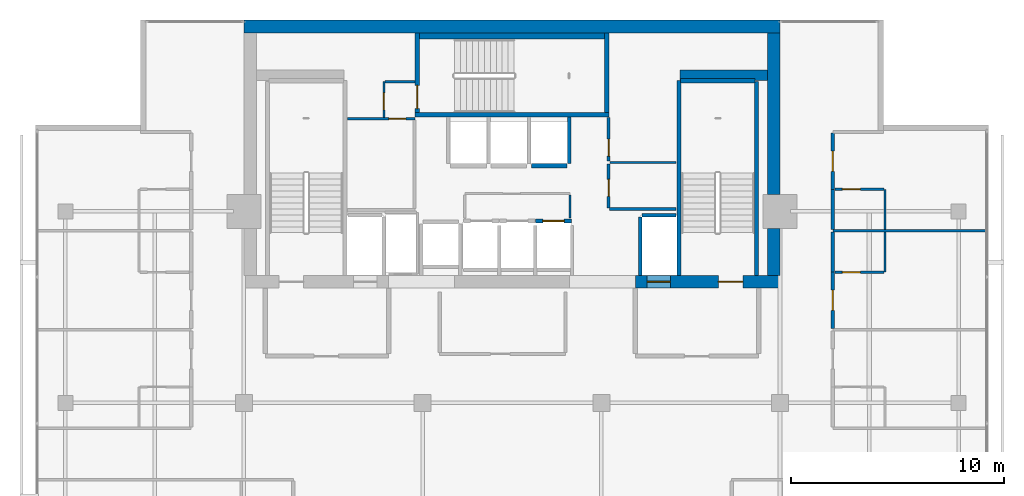
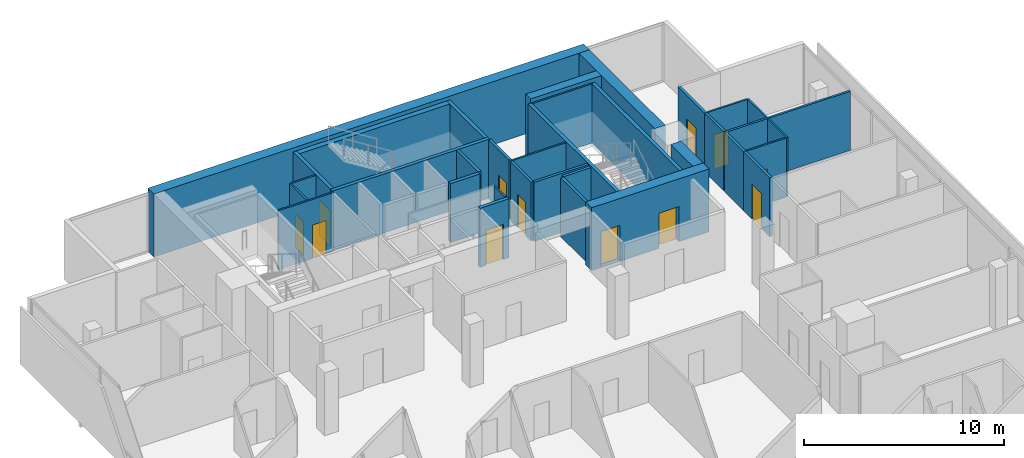
# One storey, part 23 of 26: 34 walls, 12 doors, 12 openings.
"""IFC4 building model written with IfcOpenShell, lengths in metres."""

from ifc_helpers import new_model, si_unit, direction, frame, frame_2d, origin, place, context, subcontext, project, spatial, rectangle, extrude, material, layer, layer_set, type_object, element, fill, save


model = new_model("IFC4")

# Units and contexts
model_context = context("Model", 3, precision=1e-05, world=origin(), true_north=direction((0.0, 1.0)))
body_context = subcontext(model_context, "Body", "Model", "MODEL_VIEW")
ifc_project = project(units=[si_unit("LENGTHUNIT", "METRE"), si_unit("AREAUNIT", "SQUARE_METRE"), si_unit("VOLUMEUNIT", "CUBIC_METRE"), si_unit("PLANEANGLEUNIT", "RADIAN"), si_unit("MASSUNIT", "GRAM", prefix="KILO")], contexts=[model_context])

# Site, building, storey
site_placement = place(None, origin())
site = spatial("IfcSite", under=ifc_project, at=site_placement, CompositionType="ELEMENT")
building_placement = place(site_placement, origin())
building = spatial("IfcBuilding", under=site, at=building_placement, Name="Maruvema Waterfront Hotel and Observation Tower", CompositionType="ELEMENT")
storey_placement = place(building_placement, frame((0.0, 0.0, 293.300048828125)))
storey = spatial("IfcBuildingStorey", under=building, at=storey_placement, Name="L72", CompositionType="ELEMENT", Elevation=293.300048828125)

# Wall, opening, door
ifc_material_1 = material(Name="Twin-stud acoustic gypsum drywall", Category="gypsum")
ifc_layer_1 = layer(ifc_material_1, 0.14990234375, Name="Acoustic Corridor and Suite Demising Wall 150 mm")
ifc_layer_set_1 = layer_set([ifc_layer_1], Name="Twin-stud acoustic gypsum drywall")
wall_type_1 = type_object("IfcWallType", Name="Acoustic Corridor and Suite Demising Wall 150 mm", PredefinedType="PARTITIONING", material=ifc_layer_set_1)
wall_1_placement = place(storey_placement, frame((42.340087890625, 45.159912109375, 0.0), z_axis=(0.0, 0.0, 1.0), x_axis=(0.0, 1.0, 0.0)))
wall_1 = element("IfcWall", 1, at=wall_1_placement, inside=storey, type_object=wall_type_1, Name="L72 Freed B2 West S 018", PredefinedType="PARTITIONING", context=body_context, shape_type="SweptSolid", body=[
    extrude(rectangle(XDim=2.080078125, YDim=0.14990234375, at=frame_2d((1.0400390625, 0.0))), origin(), (0.0, 0.0, 1.0), 3.60986328125),
])
opening_1_placement = place(wall_1_placement, frame((0.550048828125, 0.0, 0.0)))
opening_1 = element("IfcOpeningElement", 2, at=opening_1_placement, cuts=wall_1, Name="Opening DR-080", PredefinedType="OPENING", context=body_context, shape_type="SweptSolid", body=[
    extrude(rectangle(XDim=0.800048828125, YDim=2.050048828125, at=frame_2d((0.39990234375, 1.02490234375))), frame((0.0, 0.0849609375, 0.0), z_axis=(0.0, -1.0, 0.0), x_axis=(1.0, 0.0, 0.0)), (0.0, 0.0, 1.0), 0.169921875),
])
ifc_material_2 = material(Name="Powder-coated steel access leaf", Category="steel")
door_type_1 = type_object("IfcDoorType", Name="Riser and Service Cupboard Door 800x2050 mm", OperationType="NOTDEFINED", PredefinedType="DOOR", material=ifc_material_2)
door_1_placement = place(opening_1_placement, frame((0.800048828125, 0.0, 0.0), z_axis=(0.0, 0.0, 1.0), x_axis=(-1.0, 0.0, 0.0)))
door_1 = element("IfcDoor", 3, at=door_1_placement, inside=storey, type_object=door_type_1, Name="L72 Butler Service Pantry Door", OperationType="SINGLE_SWING_RIGHT", OverallHeight=2.050048828125, OverallWidth=0.800048828125, PredefinedType="DOOR", context=body_context, shape_type="SweptSolid", body=[
    extrude(rectangle(XDim=0.800048828125, YDim=2.050048828125, at=frame_2d((0.39990234375, 1.02490234375))), frame((0.0, 0.02490234375, 0.0), z_axis=(0.0, -1.0, 0.0), x_axis=(1.0, 0.0, 0.0)), (0.0, 0.0, 1.0), 0.050048828125),
])
fill(opening_1, door_1)

wall_2_placement = place(storey_placement, frame((42.340087890625, 47.360107421875, 0.0), z_axis=(0.0, 0.0, 1.0), x_axis=(0.0, 1.0, 0.0)))
wall_2 = element("IfcWall", 4, at=wall_2_placement, inside=storey, type_object=wall_type_1, Name="L72 Freed B2 West N 019", PredefinedType="PARTITIONING", context=body_context, shape_type="SweptSolid", body=[
    extrude(rectangle(XDim=2.059814453125, YDim=0.14990234375, at=frame_2d((1.02978515625, 0.0))), origin(), (0.0, 0.0, 1.0), 3.60986328125),
])
opening_2_placement = place(wall_2_placement, frame((0.239990234375, 0.0, 0.0)))
opening_2 = element("IfcOpeningElement", 5, at=opening_2_placement, cuts=wall_2, Name="Opening DR-080", PredefinedType="OPENING", context=body_context, shape_type="SweptSolid", body=[
    extrude(rectangle(XDim=0.800048828125, YDim=2.050048828125, at=frame_2d((0.39990234375, 1.02490234375))), frame((0.0, 0.0849609375, 0.0), z_axis=(0.0, -1.0, 0.0), x_axis=(1.0, 0.0, 0.0)), (0.0, 0.0, 1.0), 0.169921875),
])
door_2_placement = place(opening_2_placement, frame((0.800048828125, 0.0, 0.0), z_axis=(0.0, 0.0, 1.0), x_axis=(-1.0, 0.0, 0.0)))
door_2 = element("IfcDoor", 6, at=door_2_placement, inside=storey, type_object=door_type_1, Name="L72 Core IT and Linen Store Door", OperationType="SINGLE_SWING_LEFT", OverallHeight=2.050048828125, OverallWidth=0.800048828125, PredefinedType="DOOR", context=body_context, shape_type="SweptSolid", body=[
    extrude(rectangle(XDim=0.800048828125, YDim=2.050048828125, at=frame_2d((0.39990234375, 1.02490234375))), frame((0.0, 0.02490234375, 0.0), z_axis=(0.0, -1.0, 0.0), x_axis=(1.0, 0.0, 0.0)), (0.0, 0.0, 1.0), 0.050048828125),
])
fill(opening_2, door_2)

# Wall
wall_3_placement = place(storey_placement, frame((42.3798828125, 45.1201171875, 0.0), z_axis=(0.0, 0.0, 1.0), x_axis=(1.0, 0.0, 0.0)))
element("IfcWall", 7, at=wall_3_placement, inside=storey, type_object=wall_type_1, Name="L72 Freed B2 South Wall 021", PredefinedType="PARTITIONING", context=body_context, shape_type="SweptSolid", body=[
    extrude(rectangle(XDim=3.14013671875, YDim=0.14990234375, at=frame_2d((1.570068359375, 0.0))), origin(), (0.0, 0.0, 1.0), 3.60986328125),
])

# Wall, opening, door
wall_4_placement = place(storey_placement, frame((52.8798828125, 39.505859375, 0.0), z_axis=(0.0, 0.0, 1.0), x_axis=(0.0, 1.0, 0.0)))
wall_4 = element("IfcWall", 8, at=wall_4_placement, inside=storey, type_object=wall_type_1, Name="L72 Room L72-NE2 Corridor Wall 105", PredefinedType="PARTITIONING", context=body_context, shape_type="SweptSolid", body=[
    extrude(rectangle(XDim=2.6357421875, YDim=0.14990234375, at=frame_2d((1.31787109375, 0.0))), origin(), (0.0, 0.0, 1.0), 3.60986328125),
])
opening_3_placement = place(wall_4_placement, frame((0.843017578125, 0.0, 0.0)))
opening_3 = element("IfcOpeningElement", 9, at=opening_3_placement, cuts=wall_4, Name="Opening DR-095", PredefinedType="OPENING", context=body_context, shape_type="SweptSolid", body=[
    extrude(rectangle(XDim=0.949951171875, YDim=2.14990234375, at=frame_2d((0.47509765625, 1.074951171875))), frame((0.0, 0.0849609375, 0.0), z_axis=(0.0, -1.0, 0.0), x_axis=(1.0, 0.0, 0.0)), (0.0, 0.0, 1.0), 0.169921875),
])
ifc_material_3 = material(Name="Acoustic solid-core hardwood timber leaf", Category="wood")
door_type_2 = type_object("IfcDoorType", Name="Guestroom Entrance Fire Door 950x2150 mm", OperationType="NOTDEFINED", PredefinedType="DOOR", material=ifc_material_3)
door_3_placement = place(opening_3_placement, frame((0.949951171875, 0.0, 0.0), z_axis=(0.0, 0.0, 1.0), x_axis=(-1.0, 0.0, 0.0)))
door_3 = element("IfcDoor", 10, at=door_3_placement, inside=storey, type_object=door_type_2, Name="L72 Room L72-NE2 Entrance Door", OperationType="SINGLE_SWING_RIGHT", OverallHeight=2.14990234375, OverallWidth=0.949951171875, PredefinedType="DOOR", context=body_context, shape_type="SweptSolid", body=[
    extrude(rectangle(XDim=0.949951171875, YDim=2.14990234375, at=frame_2d((0.47509765625, 1.074951171875))), frame((0.0, 0.02490234375, 0.0), z_axis=(0.0, -1.0, 0.0), x_axis=(1.0, 0.0, 0.0)), (0.0, 0.0, 1.0), 0.050048828125),
])
fill(opening_3, door_3)

# Walls
for number, where, z_axis, x_axis, name in (
    (11, (52.8798828125, 42.1416015625, 0.0), (0.0, 0.0, 1.0), (0.0, 1.0, 0.0), "L72 Bath L72-NE2 Wall 106"),
    (12, (52.8798828125, 44.151611328125, 0.0), (0.0, 0.0, 1.0), (0.0, 1.0, 0.0), "L72 Bath L72-NE3 Wall 115"),
):
    element("IfcWall", number, at=place(storey_placement, frame(where, z_axis=z_axis, x_axis=x_axis)), inside=storey, type_object=wall_type_1, Name=name, PredefinedType="PARTITIONING", context=body_context, shape_type="SweptSolid", body=[
        extrude(rectangle(XDim=1.89013671875, YDim=0.14990234375, at=frame_2d((0.945068359375, 0.0))), origin(), (0.0, 0.0, 1.0), 3.60986328125),
    ])

# Wall, opening, door
wall_5_placement = place(storey_placement, frame((52.8798828125, 46.041748046875, 0.0), z_axis=(0.0, 0.0, 1.0), x_axis=(0.0, 1.0, 0.0)))
wall_5 = element("IfcWall", 13, at=wall_5_placement, inside=storey, type_object=wall_type_1, Name="L72 Room L72-NE3 Corridor Wall 116", PredefinedType="PARTITIONING", context=body_context, shape_type="SweptSolid", body=[
    extrude(rectangle(XDim=2.6357421875, YDim=0.14990234375, at=frame_2d((1.31787109375, 0.0))), origin(), (0.0, 0.0, 1.0), 3.60986328125),
])
opening_4_placement = place(wall_5_placement, frame((0.843017578125, 0.0, 0.0)))
opening_4 = element("IfcOpeningElement", 14, at=opening_4_placement, cuts=wall_5, Name="Opening DR-095", PredefinedType="OPENING", context=body_context, shape_type="SweptSolid", body=[
    extrude(rectangle(XDim=0.949951171875, YDim=2.14990234375, at=frame_2d((0.47509765625, 1.074951171875))), frame((0.0, 0.0849609375, 0.0), z_axis=(0.0, -1.0, 0.0), x_axis=(1.0, 0.0, 0.0)), (0.0, 0.0, 1.0), 0.169921875),
])
door_4_placement = place(opening_4_placement, frame((0.949951171875, 0.0, 0.0), z_axis=(0.0, 0.0, 1.0), x_axis=(-1.0, 0.0, 0.0)))
door_4 = element("IfcDoor", 15, at=door_4_placement, inside=storey, type_object=door_type_2, Name="L72 Room L72-NE3 Entrance Door", OperationType="SINGLE_SWING_RIGHT", OverallHeight=2.14990234375, OverallWidth=0.949951171875, PredefinedType="DOOR", context=body_context, shape_type="SweptSolid", body=[
    extrude(rectangle(XDim=0.949951171875, YDim=2.14990234375, at=frame_2d((0.47509765625, 1.074951171875))), frame((0.0, 0.02490234375, 0.0), z_axis=(0.0, -1.0, 0.0), x_axis=(1.0, 0.0, 0.0)), (0.0, 0.0, 1.0), 0.050048828125),
])
fill(opening_4, door_4)

# Walls
ifc_material_4 = material(Name="Precast concrete C45/55", Category="concrete")
ifc_layer_2 = layer(ifc_material_4, 0.300048828125, Name="Core Shaft Furring Wall 300 mm")
ifc_layer_set_2 = layer_set([ifc_layer_2], Name="Precast concrete C45/55")
wall_type_2 = type_object("IfcWallType", Name="Core Shaft Furring Wall 300 mm", PredefinedType="SOLIDWALL", material=ifc_layer_set_2)
wall_6_placement = place(storey_placement, frame((33.449951171875, 53.25, 0.0), z_axis=(0.0, 0.0, 1.0), x_axis=(1.0, 0.0, 0.0)))
element("IfcWall", 16, at=wall_6_placement, inside=storey, type_object=wall_type_2, Name="L72 Stairwell ST-02 North Furring Wall", PredefinedType="SOLIDWALL", context=body_context, shape_type="SweptSolid", body=[
    extrude(rectangle(XDim=8.699951171875, YDim=0.300048828125, at=frame_2d((4.35009765625, 0.0))), origin(), (0.0, 0.0, 1.0), 3.60986328125),
])
ifc_material_5 = material(Name="Precast concrete C45/55", Category="concrete")
ifc_layer_3 = layer(ifc_material_5, 0.199951171875, Name="Core Shaft and Stairwell Enclosure Wall 200 mm")
ifc_layer_set_3 = layer_set([ifc_layer_3], Name="Precast concrete C45/55")
wall_type_3 = type_object("IfcWallType", Name="Core Shaft and Stairwell Enclosure Wall 200 mm", PredefinedType="SOLIDWALL", material=ifc_layer_set_3)
wall_7_placement = place(storey_placement, frame((33.25, 49.550048828125, 0.0), z_axis=(0.0, 0.0, 1.0), x_axis=(1.0, 0.0, 0.0)))
element("IfcWall", 17, at=wall_7_placement, inside=storey, type_object=wall_type_3, Name="L72 Stairwell ST-02 Shaft Wall", PredefinedType="SOLIDWALL", context=body_context, shape_type="SweptSolid", body=[
    extrude(rectangle(XDim=9.10009765625, YDim=0.199951171875, at=frame_2d((4.550048828125, 0.0))), origin(), (0.0, 0.0, 1.0), 3.60986328125),
])
wall_8_placement = place(storey_placement, frame((42.25, 49.64990234375, 0.0), z_axis=(0.0, 0.0, 1.0), x_axis=(0.0, 1.0, 0.0)))
element("IfcWall", 18, at=wall_8_placement, inside=storey, type_object=wall_type_3, Name="L72 Stairwell ST-02 Shaft Wall", PredefinedType="SOLIDWALL", context=body_context, shape_type="SweptSolid", body=[
    extrude(rectangle(XDim=3.75, YDim=0.199951171875, at=frame_2d((1.875, 0.0))), origin(), (0.0, 0.0, 1.0), 3.60986328125),
])

# Wall, opening, door
wall_9_placement = place(storey_placement, frame((33.35009765625, 49.64990234375, 0.0), z_axis=(0.0, 0.0, 1.0), x_axis=(0.0, 1.0, 0.0)))
wall_9 = element("IfcWall", 19, at=wall_9_placement, inside=storey, type_object=wall_type_3, Name="L72 Stairwell ST-02 Shaft Wall", PredefinedType="SOLIDWALL", context=body_context, shape_type="SweptSolid", body=[
    extrude(rectangle(XDim=3.75, YDim=0.199951171875, at=frame_2d((1.875, 0.0))), origin(), (0.0, 0.0, 1.0), 3.60986328125),
])
opening_5_placement = place(wall_9_placement, frame((0.179931640625, 0.0, 0.0)))
opening_5 = element("IfcOpeningElement", 20, at=opening_5_placement, cuts=wall_9, Name="Opening SD-02", PredefinedType="OPENING", context=body_context, shape_type="SweptSolid", body=[
    extrude(rectangle(XDim=1.10009765625, YDim=2.14990234375, at=frame_2d((0.550048828125, 1.074951171875))), frame((0.0, 0.10986328125, 0.0), z_axis=(0.0, -1.0, 0.0), x_axis=(1.0, 0.0, 0.0)), (0.0, 0.0, 1.0), 0.219970703125),
])
ifc_material_6 = material(Name="Fire-rated galvanised steel leaf", Category="steel")
door_type_3 = type_object("IfcDoorType", Name="Central Exit Stair Fire Door 1100x2150 mm", OperationType="NOTDEFINED", PredefinedType="DOOR", material=ifc_material_6)
door_5_placement = place(opening_5_placement, frame((1.10009765625, 0.0, 0.0), z_axis=(0.0, 0.0, 1.0), x_axis=(-1.0, 0.0, 0.0)))
door_5 = element("IfcDoor", 21, at=door_5_placement, inside=storey, type_object=door_type_3, Name="L72 Exit Stair ST-02 Fire Door", OperationType="SINGLE_SWING_LEFT", OverallHeight=2.14990234375, OverallWidth=1.10009765625, PredefinedType="DOOR", context=body_context, shape_type="SweptSolid", body=[
    extrude(rectangle(XDim=1.10009765625, YDim=2.14990234375, at=frame_2d((0.550048828125, 1.074951171875))), frame((0.0, 0.02490234375, 0.0), z_axis=(0.0, -1.0, 0.0), x_axis=(1.0, 0.0, 0.0)), (0.0, 0.0, 1.0), 0.050048828125),
])
fill(opening_5, door_5)

# Walls
wall_10_placement = place(storey_placement, frame((45.64990234375, 42.0, 0.0), z_axis=(0.0, 0.0, 1.0), x_axis=(0.0, 1.0, 0.0)))
element("IfcWall", 22, at=wall_10_placement, inside=storey, type_object=wall_type_3, Name="L72 Stairwell ST-03 West Shaft Wall", PredefinedType="SOLIDWALL", context=body_context, shape_type="SweptSolid", body=[
    extrude(rectangle(XDim=9.14990234375, YDim=0.199951171875, at=frame_2d((4.574951171875, 0.0))), origin(), (0.0, 0.0, 1.0), 3.60986328125),
])
wall_11_placement = place(storey_placement, frame((49.300048828125, 42.0, 0.0), z_axis=(0.0, 0.0, 1.0), x_axis=(0.0, 1.0, 0.0)))
element("IfcWall", 23, at=wall_11_placement, inside=storey, type_object=wall_type_3, Name="L72 Stairwell ST-03 Shaft Lining Wall", PredefinedType="SOLIDWALL", context=body_context, shape_type="SweptSolid", body=[
    extrude(rectangle(XDim=9.1201171875, YDim=0.199951171875, at=frame_2d((4.56005859375, 0.0))), origin(), (0.0, 0.0, 1.0), 3.60986328125),
])
wall_12_placement = place(storey_placement, frame((45.719970703125, 51.14990234375, 0.0), z_axis=(0.0, 0.0, 1.0), x_axis=(1.0, 0.0, 0.0)))
element("IfcWall", 24, at=wall_12_placement, inside=storey, type_object=wall_type_3, Name="L72 Stairwell ST-03 Shaft Lining Wall", PredefinedType="SOLIDWALL", context=body_context, shape_type="SweptSolid", body=[
    extrude(rectangle(XDim=3.5, YDim=0.199951171875, at=frame_2d((1.75, 0.0))), origin(), (0.0, 0.0, 1.0), 3.60986328125),
])

# Wall, opening, door
wall_13_placement = place(storey_placement, frame((38.909912109375, 44.550048828125, 0.0), z_axis=(0.0, 0.0, 1.0), x_axis=(1.0, 0.0, 0.0)))
wall_13 = element("IfcWall", 25, at=wall_13_placement, inside=storey, type_object=wall_type_3, Name="L72 Lift LF-11 Hoistway Front Wall", PredefinedType="SOLIDWALL", context=body_context, shape_type="SweptSolid", body=[
    extrude(rectangle(XDim=1.68017578125, YDim=0.199951171875, at=frame_2d((0.840087890625, 0.0))), origin(), (0.0, 0.0, 1.0), 3.60986328125),
])
opening_6_placement = place(wall_13_placement, frame((0.340087890625, 0.0, 0.0)))
opening_6 = element("IfcOpeningElement", 26, at=opening_6_placement, cuts=wall_13, Name="Opening LD-01", PredefinedType="OPENING", context=body_context, shape_type="SweptSolid", body=[
    extrude(rectangle(XDim=1.0, YDim=2.14990234375, at=frame_2d((0.5, 1.074951171875))), frame((0.0, 0.10986328125, 0.0), z_axis=(0.0, -1.0, 0.0), x_axis=(1.0, 0.0, 0.0)), (0.0, 0.0, 1.0), 0.219970703125),
])
ifc_material_7 = material(Name="Brushed stainless steel Grade 316", Category="steel")
door_type_4 = type_object("IfcDoorType", Name="Passenger Lift Sliding Landing Door 1000x2150 mm", OperationType="SLIDING_TO_LEFT", PredefinedType="DOOR", material=ifc_material_7)
door_6_placement = place(opening_6_placement, origin())
door_6 = element("IfcDoor", 27, at=door_6_placement, inside=storey, type_object=door_type_4, Name="L72 Lift LF-11 Sliding Landing Door", OperationType="SLIDING_TO_LEFT", OverallHeight=2.14990234375, OverallWidth=1.0, PredefinedType="DOOR", context=body_context, shape_type="SweptSolid", body=[
    extrude(rectangle(XDim=1.0, YDim=2.14990234375, at=frame_2d((0.5, 1.074951171875))), frame((0.0, 0.02490234375, 0.0), z_axis=(0.0, -1.0, 0.0), x_axis=(1.0, 0.0, 0.0)), (0.0, 0.0, 1.0), 0.050048828125),
])
fill(opening_6, door_6)

# Walls
wall_14_placement = place(storey_placement, frame((38.7099609375, 47.14990234375, 0.0), z_axis=(0.0, 0.0, 1.0), x_axis=(1.0, 0.0, 0.0)))
element("IfcWall", 28, at=wall_14_placement, inside=storey, type_object=wall_type_3, Name="L72 Lift LF-14 Hoistway Front Wall", PredefinedType="SOLIDWALL", context=body_context, shape_type="SweptSolid", body=[
    extrude(rectangle(XDim=1.679931640625, YDim=0.199951171875, at=frame_2d((0.83984375, 0.0))), origin(), (0.0, 0.0, 1.0), 3.60986328125),
])
ifc_material_8 = material(Name="Concrete C70/85", Category="concrete")
ifc_layer_4 = layer(ifc_material_8, 0.5, Name="Core Shear Wall 500 mm")
ifc_layer_set_4 = layer_set([ifc_layer_4], Name="Concrete C70/85")
wall_type_4 = type_object("IfcWallType", Name="Core Shear Wall 500 mm", PredefinedType="SHEAR", material=ifc_layer_set_4)
wall_15_placement = place(storey_placement, frame((45.699951171875, 51.39990234375, 0.0), z_axis=(0.0, 0.0, 1.0), x_axis=(1.0, 0.0, 0.0)))
element("IfcWall", 29, at=wall_15_placement, inside=storey, type_object=wall_type_4, Name="L72 Internal Core Shear Wall NE 500 mm", PredefinedType="SHEAR", context=body_context, shape_type="SweptSolid", body=[
    extrude(rectangle(XDim=4.10009765625, YDim=0.5, at=frame_2d((2.050048828125, 0.0))), origin(), (0.0, 0.0, 1.0), 3.849853515625),
])
ifc_material_9 = material(Name="Concrete C60/75", Category="concrete")
ifc_layer_5 = layer(ifc_material_9, 0.60009765625, Name="Core Shear Wall 600 mm")
ifc_layer_set_5 = layer_set([ifc_layer_5], Name="Concrete C60/75")
wall_type_5 = type_object("IfcWallType", Name="Core Shear Wall 600 mm", PredefinedType="SHEAR", material=ifc_layer_set_5)
wall_16_placement = place(storey_placement, frame((25.199951171875, 53.699951171875, 0.0), z_axis=(0.0, 0.0, 1.0), x_axis=(1.0, 0.0, 0.0)))
element("IfcWall", 30, at=wall_16_placement, inside=storey, type_object=wall_type_5, Name="L72 North Core Shear Wall", PredefinedType="SHEAR", context=body_context, shape_type="SweptSolid", body=[
    extrude(rectangle(XDim=25.199951171875, YDim=0.60009765625, at=frame_2d((12.60009765625, 0.0))), origin(), (0.0, 0.0, 1.0), 3.849853515625),
])

# Wall, openings, doors
wall_17_placement = place(storey_placement, frame((43.60009765625, 41.699951171875, 0.0), z_axis=(0.0, 0.0, 1.0), x_axis=(1.0, 0.0, 0.0)))
wall_17 = element("IfcWall", 31, at=wall_17_placement, inside=storey, type_object=wall_type_5, Name="L72 South-East Core Shear Wall", PredefinedType="SHEAR", context=body_context, shape_type="SweptSolid", body=[
    extrude(rectangle(XDim=6.7998046875, YDim=0.60009765625, at=frame_2d((3.39990234375, 0.0))), origin(), (0.0, 0.0, 1.0), 3.849853515625),
])
opening_7_placement = place(wall_17_placement, frame((3.89990234375, 0.0, 0.0)))
opening_7 = element("IfcOpeningElement", 32, at=opening_7_placement, cuts=wall_17, Name="Opening SD-01", PredefinedType="OPENING", context=body_context, shape_type="SweptSolid", body=[
    extrude(rectangle(XDim=1.14990234375, YDim=2.14990234375, at=frame_2d((0.574951171875, 1.074951171875))), frame((0.0, 0.31005859375, 0.0), z_axis=(0.0, -1.0, 0.0), x_axis=(1.0, 0.0, 0.0)), (0.0, 0.0, 1.0), 0.6201171875),
])
opening_8_placement = place(wall_17_placement, frame((0.550048828125, 0.0, 0.0)))
opening_8 = element("IfcOpeningElement", 33, at=opening_8_placement, cuts=wall_17, Name="Opening LD-03", PredefinedType="OPENING", context=body_context, shape_type="SweptSolid", body=[
    extrude(rectangle(XDim=1.10009765625, YDim=2.199951171875, at=frame_2d((0.550048828125, 1.10009765625))), frame((0.0, 0.31005859375, 0.0), z_axis=(0.0, -1.0, 0.0), x_axis=(1.0, 0.0, 0.0)), (0.0, 0.0, 1.0), 0.6201171875),
])
ifc_material_10 = material(Name="Fire-rated galvanised steel leaf", Category="steel")
door_type_5 = type_object("IfcDoorType", Name="Exit Stair Fire Door 1150x2150 mm", OperationType="NOTDEFINED", PredefinedType="DOOR", material=ifc_material_10)
door_7_placement = place(opening_7_placement, origin())
door_7 = element("IfcDoor", 34, at=door_7_placement, inside=storey, type_object=door_type_5, Name="L72 Exit Stair ST-03 Fire Door", OperationType="SINGLE_SWING_RIGHT", OverallHeight=2.14990234375, OverallWidth=1.14990234375, PredefinedType="DOOR", context=body_context, shape_type="SweptSolid", body=[
    extrude(rectangle(XDim=1.14990234375, YDim=2.14990234375, at=frame_2d((0.574951171875, 1.074951171875))), frame((0.0, 0.02490234375, 0.0), z_axis=(0.0, -1.0, 0.0), x_axis=(1.0, 0.0, 0.0)), (0.0, 0.0, 1.0), 0.050048828125),
])
fill(opening_7, door_7)
ifc_material_11 = material(Name="Brushed stainless steel Grade 316", Category="steel")
door_type_6 = type_object("IfcDoorType", Name="Firefighting Lift Sliding Landing Door 1100x2200 mm", OperationType="SLIDING_TO_LEFT", PredefinedType="DOOR", material=ifc_material_11)
door_8_placement = place(opening_8_placement, frame((1.10009765625, 0.0, 0.0), z_axis=(0.0, 0.0, 1.0), x_axis=(-1.0, 0.0, 0.0)))
door_8 = element("IfcDoor", 35, at=door_8_placement, inside=storey, type_object=door_type_6, Name="L72 Firefighting Lift FL-02 Landing Door", OperationType="SLIDING_TO_LEFT", OverallHeight=2.199951171875, OverallWidth=1.10009765625, PredefinedType="DOOR", context=body_context, shape_type="SweptSolid", body=[
    extrude(rectangle(XDim=1.10009765625, YDim=2.199951171875, at=frame_2d((0.550048828125, 1.10009765625))), frame((0.0, 0.02490234375, 0.0), z_axis=(0.0, -1.0, 0.0), x_axis=(1.0, 0.0, 0.0)), (0.0, 0.0, 1.0), 0.050048828125),
])
fill(opening_8, door_8)

# Walls
wall_18_placement = place(storey_placement, frame((50.10009765625, 42.0, 0.0), z_axis=(0.0, 0.0, 1.0), x_axis=(0.0, 1.0, 0.0)))
element("IfcWall", 36, at=wall_18_placement, inside=storey, type_object=wall_type_5, Name="L72 East-South Core Shear Wall", PredefinedType="SHEAR", context=body_context, shape_type="SweptSolid", body=[
    extrude(rectangle(XDim=2.199951171875, YDim=0.60009765625, at=frame_2d((1.10009765625, 0.0))), origin(), (0.0, 0.0, 1.0), 3.849853515625),
])
wall_19_placement = place(storey_placement, frame((50.10009765625, 45.800048828125, 0.0), z_axis=(0.0, 0.0, 1.0), x_axis=(0.0, 1.0, 0.0)))
element("IfcWall", 37, at=wall_19_placement, inside=storey, type_object=wall_type_5, Name="L72 East-North Core Shear Wall", PredefinedType="SHEAR", context=body_context, shape_type="SweptSolid", body=[
    extrude(rectangle(XDim=7.599853515625, YDim=0.60009765625, at=frame_2d((3.7998046875, 0.0))), origin(), (0.0, 0.0, 1.0), 3.849853515625),
])
ifc_material_12 = material(Name="Moisture-resistant cement-board drywall", Category="gypsum")
ifc_layer_6 = layer(ifc_material_12, 0.10009765625, Name="En-Suite Moisture-Resistant Partition 100 mm")
ifc_layer_set_6 = layer_set([ifc_layer_6], Name="Moisture-resistant cement-board drywall")
wall_type_6 = type_object("IfcWallType", Name="En-Suite Moisture-Resistant Partition 100 mm", PredefinedType="PARTITIONING", material=ifc_layer_set_6)
wall_20_placement = place(storey_placement, frame((40.52001953125, 44.699951171875, 0.0), z_axis=(0.0, 0.0, 1.0), x_axis=(0.0, 1.0, 0.0)))
element("IfcWall", 38, at=wall_20_placement, inside=storey, type_object=wall_type_6, Name="L72 Core Closet K0 East 012", PredefinedType="PARTITIONING", context=body_context, shape_type="SweptSolid", body=[
    extrude(rectangle(XDim=1.080078125, YDim=0.10009765625, at=frame_2d((0.5400390625, 0.0))), origin(), (0.0, 0.0, 1.0), 3.60986328125),
])

# Wall, opening, door
wall_21_placement = place(storey_placement, frame((30.06005859375, 49.360107421875, 0.0), z_axis=(0.0, 0.0, 1.0), x_axis=(1.0, 0.0, 0.0)))
wall_21 = element("IfcWall", 39, at=wall_21_placement, inside=storey, type_object=wall_type_6, Name="L72 Freed B1 Mid Wall 015", PredefinedType="PARTITIONING", context=body_context, shape_type="SweptSolid", body=[
    extrude(rectangle(XDim=3.179931640625, YDim=0.10009765625, at=frame_2d((1.58984375, 0.0))), origin(), (0.0, 0.0, 1.0), 3.60986328125),
])
opening_9_placement = place(wall_21_placement, frame((1.949951171875, 0.0, 0.0)))
opening_9 = element("IfcOpeningElement", 40, at=opening_9_placement, cuts=wall_21, Name="Opening DR-080", PredefinedType="OPENING", context=body_context, shape_type="SweptSolid", body=[
    extrude(rectangle(XDim=0.800048828125, YDim=2.050048828125, at=frame_2d((0.39990234375, 1.02490234375))), frame((0.0, 0.06005859375, 0.0), z_axis=(0.0, -1.0, 0.0), x_axis=(1.0, 0.0, 0.0)), (0.0, 0.0, 1.0), 0.1201171875),
])
door_9_placement = place(opening_9_placement, origin())
door_9 = element("IfcDoor", 41, at=door_9_placement, inside=storey, type_object=door_type_1, Name="L72 Housekeeping and Linen Room Door", OperationType="SINGLE_SWING_RIGHT", OverallHeight=2.050048828125, OverallWidth=0.800048828125, PredefinedType="DOOR", context=body_context, shape_type="SweptSolid", body=[
    extrude(rectangle(XDim=0.800048828125, YDim=2.050048828125, at=frame_2d((0.39990234375, 1.02490234375))), frame((0.0, 0.02490234375, 0.0), z_axis=(0.0, -1.0, 0.0), x_axis=(1.0, 0.0, 0.0)), (0.0, 0.0, 1.0), 0.050048828125),
])
fill(opening_9, door_9)

wall_22_placement = place(storey_placement, frame((31.780029296875, 49.419921875, 0.0), z_axis=(0.0, 0.0, 1.0), x_axis=(0.0, 1.0, 0.0)))
wall_22 = element("IfcWall", 42, at=wall_22_placement, inside=storey, type_object=wall_type_6, Name="L72 Freed B1 NW East Wall 016", PredefinedType="PARTITIONING", context=body_context, shape_type="SweptSolid", body=[
    extrude(rectangle(XDim=1.68017578125, YDim=0.10009765625, at=frame_2d((0.840087890625, 0.0))), origin(), (0.0, 0.0, 1.0), 3.60986328125),
])
opening_10_placement = place(wall_22_placement, frame((0.35009765625, 0.0, 0.0)))
opening_10 = element("IfcOpeningElement", 43, at=opening_10_placement, cuts=wall_22, Name="Opening DR-080", PredefinedType="OPENING", context=body_context, shape_type="SweptSolid", body=[
    extrude(rectangle(XDim=0.800048828125, YDim=2.050048828125, at=frame_2d((0.39990234375, 1.02490234375))), frame((0.0, 0.06005859375, 0.0), z_axis=(0.0, -1.0, 0.0), x_axis=(1.0, 0.0, 0.0)), (0.0, 0.0, 1.0), 0.1201171875),
])
door_10_placement = place(opening_10_placement, origin())
door_10 = element("IfcDoor", 44, at=door_10_placement, inside=storey, type_object=door_type_1, Name="L72 Guest Floor Pantry Door", OperationType="SINGLE_SWING_LEFT", OverallHeight=2.050048828125, OverallWidth=0.800048828125, PredefinedType="DOOR", context=body_context, shape_type="SweptSolid", body=[
    extrude(rectangle(XDim=0.800048828125, YDim=2.050048828125, at=frame_2d((0.39990234375, 1.02490234375))), frame((0.0, 0.02490234375, 0.0), z_axis=(0.0, -1.0, 0.0), x_axis=(1.0, 0.0, 0.0)), (0.0, 0.0, 1.0), 0.050048828125),
])
fill(opening_10, door_10)

# Walls
wall_23_placement = place(storey_placement, frame((31.820068359375, 51.10009765625, 0.0), z_axis=(0.0, 0.0, 1.0), x_axis=(1.0, 0.0, 0.0)))
element("IfcWall", 45, at=wall_23_placement, inside=storey, type_object=wall_type_6, Name="L72 Freed B1 Vestibule North Wall 017", PredefinedType="PARTITIONING", context=body_context, shape_type="SweptSolid", body=[
    extrude(rectangle(XDim=1.419921875, YDim=0.10009765625, at=frame_2d((0.7099609375, 0.0))), origin(), (0.0, 0.0, 1.0), 3.60986328125),
])
wall_24_placement = place(storey_placement, frame((42.39990234375, 47.300048828125, 0.0), z_axis=(0.0, 0.0, 1.0), x_axis=(1.0, 0.0, 0.0)))
element("IfcWall", 46, at=wall_24_placement, inside=storey, type_object=wall_type_6, Name="L72 Freed B2 Split 020", PredefinedType="PARTITIONING", context=body_context, shape_type="SweptSolid", body=[
    extrude(rectangle(XDim=3.10009765625, YDim=0.10009765625, at=frame_2d((1.550048828125, 0.0))), origin(), (0.0, 0.0, 1.0), 3.60986328125),
])
wall_25_placement = place(storey_placement, frame((55.330078125, 42.1416015625, 0.0), z_axis=(0.0, 0.0, 1.0), x_axis=(0.0, 1.0, 0.0)))
element("IfcWall", 47, at=wall_25_placement, inside=storey, type_object=wall_type_6, Name="L72 En-Suite L72-NE2 E 107", PredefinedType="PARTITIONING", context=body_context, shape_type="SweptSolid", body=[
    extrude(rectangle(XDim=1.89013671875, YDim=0.10009765625, at=frame_2d((0.945068359375, 0.0))), origin(), (0.0, 0.0, 1.0), 3.60986328125),
])

# Wall, opening, door
wall_26_placement = place(storey_placement, frame((52.97998046875, 42.1416015625, 0.0), z_axis=(0.0, 0.0, 1.0), x_axis=(1.0, 0.0, 0.0)))
wall_26 = element("IfcWall", 48, at=wall_26_placement, inside=storey, type_object=wall_type_6, Name="L72 En-Suite L72-NE2 S 108", PredefinedType="PARTITIONING", context=body_context, shape_type="SweptSolid", body=[
    extrude(rectangle(XDim=2.300048828125, YDim=0.10009765625, at=frame_2d((1.14990234375, 0.0))), origin(), (0.0, 0.0, 1.0), 3.60986328125),
])
opening_11_placement = place(wall_26_placement, frame((0.35009765625, 0.0, 0.0)))
opening_11 = element("IfcOpeningElement", 49, at=opening_11_placement, cuts=wall_26, Name="Opening DR-085", PredefinedType="OPENING", context=body_context, shape_type="SweptSolid", body=[
    extrude(rectangle(XDim=0.85009765625, YDim=2.10009765625, at=frame_2d((0.425048828125, 1.050048828125))), frame((0.0, 0.06005859375, 0.0), z_axis=(0.0, -1.0, 0.0), x_axis=(1.0, 0.0, 0.0)), (0.0, 0.0, 1.0), 0.1201171875),
])
ifc_material_13 = material(Name="Moisture-resistant solid timber leaf", Category="wood")
door_type_7 = type_object("IfcDoorType", Name="En-Suite Bathroom Door 850x2100 mm", OperationType="NOTDEFINED", PredefinedType="DOOR", material=ifc_material_13)
door_11_placement = place(opening_11_placement, frame((0.85009765625, 0.0, 0.0), z_axis=(0.0, 0.0, 1.0), x_axis=(-1.0, 0.0, 0.0)))
door_11 = element("IfcDoor", 50, at=door_11_placement, inside=storey, type_object=door_type_7, Name="L72 En-Suite L72-NE2 Door", OperationType="SINGLE_SWING_LEFT", OverallHeight=2.10009765625, OverallWidth=0.85009765625, PredefinedType="DOOR", context=body_context, shape_type="SweptSolid", body=[
    extrude(rectangle(XDim=0.85009765625, YDim=2.10009765625, at=frame_2d((0.425048828125, 1.050048828125))), frame((0.0, 0.02490234375, 0.0), z_axis=(0.0, -1.0, 0.0), x_axis=(1.0, 0.0, 0.0)), (0.0, 0.0, 1.0), 0.050048828125),
])
fill(opening_11, door_11)

# Wall
wall_27_placement = place(storey_placement, frame((55.330078125, 44.151611328125, 0.0), z_axis=(0.0, 0.0, 1.0), x_axis=(0.0, 1.0, 0.0)))
element("IfcWall", 51, at=wall_27_placement, inside=storey, type_object=wall_type_6, Name="L72 En-Suite L72-NE3 E 117", PredefinedType="PARTITIONING", context=body_context, shape_type="SweptSolid", body=[
    extrude(rectangle(XDim=1.89013671875, YDim=0.10009765625, at=frame_2d((0.945068359375, 0.0))), origin(), (0.0, 0.0, 1.0), 3.60986328125),
])

# Wall, opening, door
wall_28_placement = place(storey_placement, frame((52.97998046875, 46.041748046875, 0.0), z_axis=(0.0, 0.0, 1.0), x_axis=(1.0, 0.0, 0.0)))
wall_28 = element("IfcWall", 52, at=wall_28_placement, inside=storey, type_object=wall_type_6, Name="L72 En-Suite L72-NE3 N 118", PredefinedType="PARTITIONING", context=body_context, shape_type="SweptSolid", body=[
    extrude(rectangle(XDim=2.300048828125, YDim=0.10009765625, at=frame_2d((1.14990234375, 0.0))), origin(), (0.0, 0.0, 1.0), 3.60986328125),
])
opening_12_placement = place(wall_28_placement, frame((0.35009765625, 0.0, 0.0)))
opening_12 = element("IfcOpeningElement", 53, at=opening_12_placement, cuts=wall_28, Name="Opening DR-085", PredefinedType="OPENING", context=body_context, shape_type="SweptSolid", body=[
    extrude(rectangle(XDim=0.85009765625, YDim=2.10009765625, at=frame_2d((0.425048828125, 1.050048828125))), frame((0.0, 0.06005859375, 0.0), z_axis=(0.0, -1.0, 0.0), x_axis=(1.0, 0.0, 0.0)), (0.0, 0.0, 1.0), 0.1201171875),
])
door_12_placement = place(opening_12_placement, origin())
door_12 = element("IfcDoor", 54, at=door_12_placement, inside=storey, type_object=door_type_7, Name="L72 En-Suite L72-NE3 Door", OperationType="SINGLE_SWING_LEFT", OverallHeight=2.10009765625, OverallWidth=0.85009765625, PredefinedType="DOOR", context=body_context, shape_type="SweptSolid", body=[
    extrude(rectangle(XDim=0.85009765625, YDim=2.10009765625, at=frame_2d((0.425048828125, 1.050048828125))), frame((0.0, 0.02490234375, 0.0), z_axis=(0.0, -1.0, 0.0), x_axis=(1.0, 0.0, 0.0)), (0.0, 0.0, 1.0), 0.050048828125),
])
fill(opening_12, door_12)

# Walls
ifc_material_14 = material(Name="Acoustic gypsum plasterboard drywall", Category="gypsum")
ifc_layer_7 = layer(ifc_material_14, 0.125, Name="Guestroom Acoustic Demising Wall 125 mm")
ifc_layer_set_7 = layer_set([ifc_layer_7], Name="Acoustic gypsum plasterboard drywall")
wall_type_7 = type_object("IfcWallType", Name="Guestroom Acoustic Demising Wall 125 mm", PredefinedType="PARTITIONING", material=ifc_layer_set_7)
wall_29_placement = place(storey_placement, frame((52.8798828125, 44.091796875, 0.0), z_axis=(0.0, 0.0, 1.0), x_axis=(1.0, 0.0, 0.0)))
element("IfcWall", 55, at=wall_29_placement, inside=storey, type_object=wall_type_7, Name="L72 Z3 NE Demising 3 110", PredefinedType="PARTITIONING", context=body_context, shape_type="SweptSolid", body=[
    extrude(rectangle(XDim=7.22021484375, YDim=0.125, at=frame_2d((3.610107421875, 0.0))), origin(), (0.0, 0.0, 1.0), 3.60986328125),
])
ifc_material_15 = material(Name="Precast concrete C45/55", Category="concrete")
ifc_layer_8 = layer(ifc_material_15, 0.159912109375, Name="Lift Hoistway Divider Wall 160 mm")
ifc_layer_set_8 = layer_set([ifc_layer_8], Name="Precast concrete C45/55")
wall_type_8 = type_object("IfcWallType", Name="Lift Hoistway Divider Wall 160 mm", PredefinedType="SOLIDWALL", material=ifc_layer_set_8)
wall_30_placement = place(storey_placement, frame((43.89990234375, 44.830078125, 0.0), z_axis=(0.0, 0.0, 1.0), x_axis=(1.0, 0.0, 0.0)))
element("IfcWall", 56, at=wall_30_placement, inside=storey, type_object=wall_type_8, Name="L72 Lift FL-02 Rear Hoistway Wall", PredefinedType="SOLIDWALL", context=body_context, shape_type="SweptSolid", body=[
    extrude(rectangle(XDim=1.60009765625, YDim=0.159912109375, at=frame_2d((0.800048828125, 0.0))), origin(), (0.0, 0.0, 1.0), 3.60986328125),
])
wall_31_placement = place(storey_placement, frame((43.820068359375, 42.0, 0.0), z_axis=(0.0, 0.0, 1.0), x_axis=(0.0, 1.0, 0.0)))
element("IfcWall", 57, at=wall_31_placement, inside=storey, type_object=wall_type_8, Name="L72 Lift FL-02 Inner Hoistway Wall", PredefinedType="SOLIDWALL", context=body_context, shape_type="SweptSolid", body=[
    extrude(rectangle(XDim=2.739990234375, YDim=0.159912109375, at=frame_2d((1.3701171875, 0.0))), origin(), (0.0, 0.0, 1.0), 3.60986328125),
])
wall_32_placement = place(storey_placement, frame((40.5, 47.25, 0.0), z_axis=(0.0, 0.0, 1.0), x_axis=(0.0, 1.0, 0.0)))
element("IfcWall", 58, at=wall_32_placement, inside=storey, type_object=wall_type_8, Name="L72 Hoistway Divider Wall", PredefinedType="SOLIDWALL", context=body_context, shape_type="SweptSolid", body=[
    extrude(rectangle(XDim=2.18994140625, YDim=0.159912109375, at=frame_2d((1.094970703125, 0.0))), origin(), (0.0, 0.0, 1.0), 3.60986328125),
])

save(model, "model.ifc")
